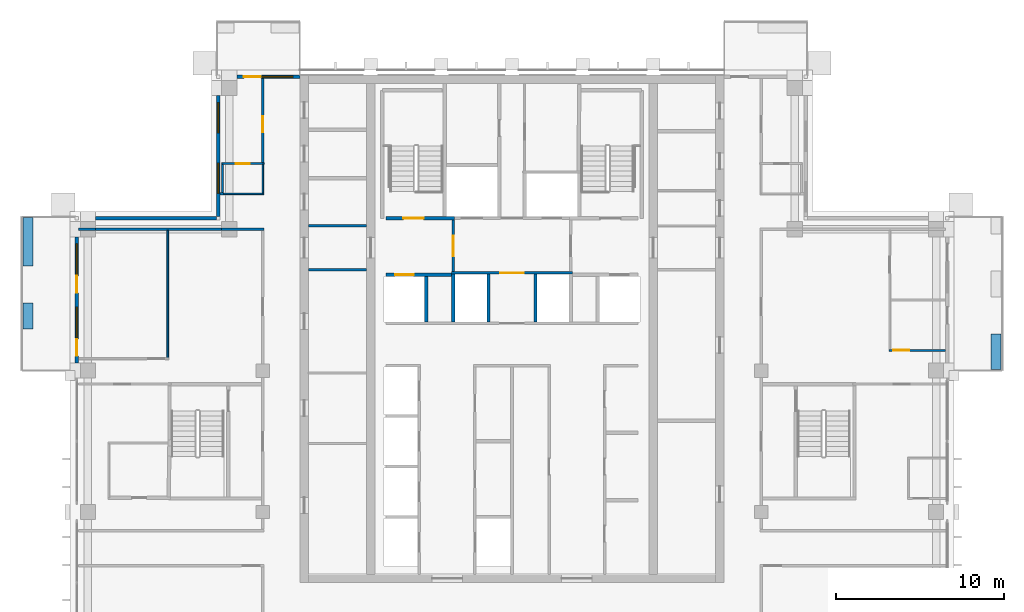
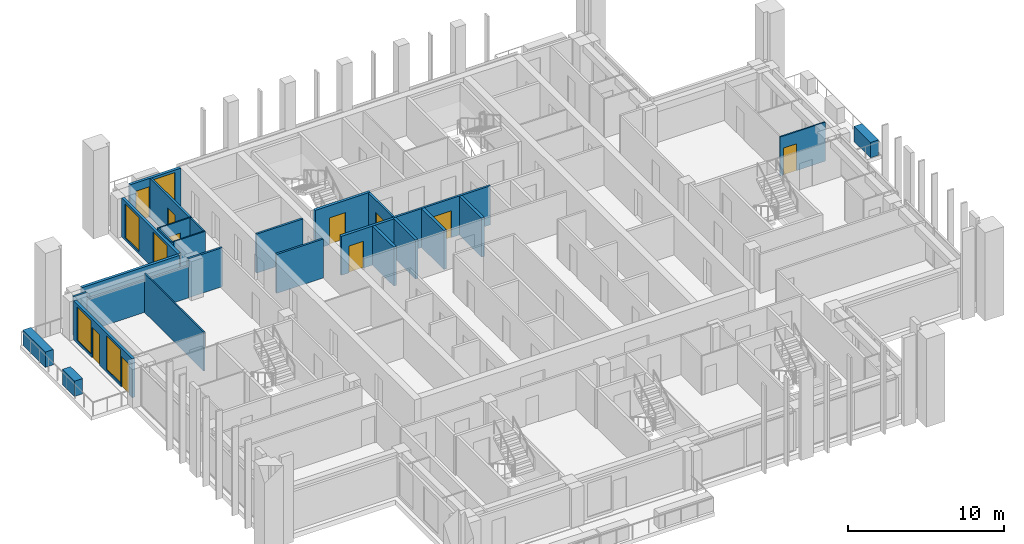
# One storey, part 10 of 16: 28 walls, 10 doors, 5 windows, 15 openings.
"""IFC4 building model written with IfcOpenShell, lengths in metres."""

import ifcopenshell
import ifcopenshell.guid

model = None  # the IFC model being written
_history = None  # IfcOwnerHistory: only IFC2X3 demands one
_inside = {}  # id of a spatial element -> (the spatial element, [elements in it])
_under = {}  # id of a project, library or spatial element -> (it, [spatial elements below it])
_declared = {}  # id of a project -> (the project, [libraries it declares])
_typed = {}  # id of a type object -> (the type object, [elements of that type])
_made_of = {}  # id of a material, layer set ... -> (it, [elements and type objects made of it])


def new_model(schema):
    """Start an empty IFC model of exactly this schema.

    Asked for "IFC4X3", IfcOpenShell would pick the latest addendum, in which some entities
    have other attributes; the version numbers below select the first issue.
    IFC2X3 requires an IfcOwnerHistory on every rooted entity: one is made here for all.
    """
    global model, _history
    if schema == "IFC4X3":
        model = ifcopenshell.file(schema_version=(4, 3, 0, 0))
    else:
        model = ifcopenshell.file(schema=schema)
    _inside.clear()
    _under.clear()
    _declared.clear()
    _typed.clear()
    _made_of.clear()
    _history = None
    if model.schema == "IFC2X3":
        org = make("IfcOrganization", Name="unknown")
        user = make(
            "IfcPersonAndOrganization",
            ThePerson=make("IfcPerson", FamilyName="unknown"),
            TheOrganization=org,
        )
        app = make(
            "IfcApplication",
            ApplicationDeveloper=org,
            Version="unknown",
            ApplicationFullName="unknown",
            ApplicationIdentifier="unknown",
        )
        _history = make(
            "IfcOwnerHistory",
            OwningUser=user,
            OwningApplication=app,
            ChangeAction="ADDED",
            CreationDate=0,
        )
    return model


def make(cls, **values):
    """One entity of the class cls with the attributes given. An attribute that is None is left unset."""
    return model.create_entity(
        cls, **{name: value for name, value in values.items() if value is not None}
    )


def rooted(cls, **values):
    """An entity with a GlobalId (a new one), such as an element, a storey or a relation."""
    return make(cls, GlobalId=ifcopenshell.guid.new(), OwnerHistory=_history, **values)


def si_unit(unit_type, name, prefix=None):
    """IfcSIUnit, for example si_unit("LENGTHUNIT", "METRE", prefix="MILLI")."""
    return make("IfcSIUnit", UnitType=unit_type, Prefix=prefix, Name=name)


def assignment(units):
    """IfcUnitAssignment: the units of a project."""
    return None if units is None else make("IfcUnitAssignment", Units=units)


def point(xyz):
    """IfcCartesianPoint."""
    return None if xyz is None else make("IfcCartesianPoint", Coordinates=xyz)


def direction(xyz):
    """IfcDirection."""
    return None if xyz is None else make("IfcDirection", DirectionRatios=xyz)


def frame(location, z_axis=None, x_axis=None):
    """IfcAxis2Placement3D, a coordinate frame: its origin and axes. An axis left out is left unset."""
    return make(
        "IfcAxis2Placement3D",
        Location=point(location),
        Axis=direction(z_axis),
        RefDirection=direction(x_axis),
    )


def frame_2d(location, x_axis=None):
    """IfcAxis2Placement2D, a coordinate frame in the plane: its origin and x axis."""
    return make(
        "IfcAxis2Placement2D", Location=point(location), RefDirection=direction(x_axis)
    )


def origin():
    """The frame at (0, 0, 0) with its axes left unset."""
    return frame((0.0, 0.0, 0.0))


def place(relative_to, where):
    """IfcLocalPlacement: puts the frame where relative to a parent placement (None: the world)."""
    return make(
        "IfcLocalPlacement", PlacementRelTo=relative_to, RelativePlacement=where
    )


def context(
    kind, dimensions, precision=None, world=None, true_north=None, identifier=None
):
    """IfcGeometricRepresentationContext, for example the 3D "Model" context."""
    return make(
        "IfcGeometricRepresentationContext",
        ContextIdentifier=identifier,
        ContextType=kind,
        CoordinateSpaceDimension=dimensions,
        Precision=precision,
        WorldCoordinateSystem=world,
        TrueNorth=true_north,
    )


def subcontext(parent, identifier, kind, view, scale=None):
    """IfcGeometricRepresentationSubContext, for example "Body" below "Model"."""
    return make(
        "IfcGeometricRepresentationSubContext",
        ContextIdentifier=identifier,
        ContextType=kind,
        ParentContext=parent,
        TargetScale=scale,
        TargetView=view,
    )


def project(units=None, contexts=None):
    """IfcProject with its units and contexts."""
    return rooted(
        "IfcProject",
        Name="project",
        RepresentationContexts=contexts,
        UnitsInContext=assignment(units),
    )


def spatial(cls, under=None, at=None, **own):
    """A site, building, storey or space (cls), placed at a placement, below another one or the project."""
    s = rooted(cls, ObjectPlacement=at, **own)
    if under is not None:
        _under.setdefault(under.id(), (under, []))[1].append(s)
    return s


def profile(cls, at=None, kind="AREA", **sizes):
    """A parametric profile (cls). Its sizes go by their IFC names, for example OverallWidth=200.0."""
    return make(cls, ProfileType=kind, Position=at, **sizes)


def rectangle(**sizes):
    """IfcRectangleProfileDef."""
    return profile("IfcRectangleProfileDef", **sizes)


def extrude(swept, where, along, depth):
    """IfcExtrudedAreaSolid: the profile swept, set in the frame where, extruded along a direction by depth."""
    return make(
        "IfcExtrudedAreaSolid",
        SweptArea=swept,
        Position=where,
        ExtrudedDirection=direction(along),
        Depth=depth,
    )


def shape(context_of_items, identifier, shape_type, items):
    """IfcShapeRepresentation: the items that make up one representation, for example the "Body"."""
    return make(
        "IfcShapeRepresentation",
        ContextOfItems=context_of_items,
        RepresentationIdentifier=identifier,
        RepresentationType=shape_type,
        Items=items,
    )


def material(Name=None, Category=None):
    """IfcMaterial."""
    return make("IfcMaterial", Name=Name, Category=Category)


def layer(
    of_material, thickness, ventilated=None, Name=None, Category=None, Priority=None
):
    """IfcMaterialLayer: one layer of a wall or slab, of a material (None: an air gap)."""
    return make(
        "IfcMaterialLayer",
        Material=of_material,
        LayerThickness=thickness,
        IsVentilated=ventilated,
        Name=Name,
        Category=Category,
        Priority=Priority,
    )


def layer_set(layers, Name=None):
    """IfcMaterialLayerSet."""
    return make("IfcMaterialLayerSet", MaterialLayers=layers, LayerSetName=Name)


def made_of(thing, what):
    """Note that an element or type object is made of a material, layer set ...; save() writes the relation."""
    if what is not None:
        _made_of.setdefault(what.id(), (what, []))[1].append(thing)
    return thing


def type_object(cls, material=None, **own):
    """A type object (cls), such as IfcWallType, which elements share."""
    return made_of(rooted(cls, **own), material)


def element(
    cls,
    number,
    at=None,
    inside=None,
    cuts=None,
    type_object=None,
    material=None,
    context=None,
    identifier="Body",
    shape_type=None,
    held_by="IfcProductDefinitionShape",
    body=None,
    shapes=None,
    **own,
):
    """One element of the class cls, such as IfcWall. Its Tag is "e" and its number.

    at: its placement. inside: the storey or other place that contains it. cuts: it is an
    opening in that element (IfcRelVoidsElement). A single representation is given by context,
    identifier, shape_type and body (its items); several are given by shapes. held_by: the class
    of the entity that holds the representations. save() writes the other relations.
    """
    e = rooted(cls, Tag="e%d" % number, ObjectPlacement=at, **own)
    if body is not None:
        shapes = [shape(context, identifier, shape_type, body)]
    if shapes is not None:
        e.Representation = make(held_by, Representations=shapes)
    if inside is not None:
        _inside.setdefault(inside.id(), (inside, []))[1].append(e)
    if cuts is not None:
        rooted(
            "IfcRelVoidsElement", RelatingBuildingElement=cuts, RelatedOpeningElement=e
        )
    if type_object is not None:
        _typed.setdefault(type_object.id(), (type_object, []))[1].append(e)
    return made_of(e, material)


def fill(opening, filler):
    """IfcRelFillsElement: the door or window that sits in an opening."""
    return rooted(
        "IfcRelFillsElement",
        RelatingOpeningElement=opening,
        RelatedBuildingElement=filler,
    )


def aggregate(whole, parts):
    """IfcRelAggregates: a whole, such as a stair, and the parts it consists of."""
    return rooted("IfcRelAggregates", RelatingObject=whole, RelatedObjects=parts)


def save(model, path):
    """Write the relations noted so far, then the file.

    IfcRelAggregates (storeys below a building ...), IfcRelContainedInSpatialStructure (elements
    in a storey), IfcRelDefinesByType, IfcRelAssociatesMaterial and IfcRelDeclares: one each for
    every whole, place, type object, material and project.
    """
    for whole, parts in _under.values():
        aggregate(whole, parts)
    for where, things in _inside.values():
        rooted(
            "IfcRelContainedInSpatialStructure",
            RelatedElements=things,
            RelatingStructure=where,
        )
    for kind, things in _typed.values():
        rooted("IfcRelDefinesByType", RelatedObjects=things, RelatingType=kind)
    for what, things in _made_of.values():
        rooted("IfcRelAssociatesMaterial", RelatedObjects=things, RelatingMaterial=what)
    for by, libraries in _declared.values():
        rooted("IfcRelDeclares", RelatingContext=by, RelatedDefinitions=libraries)
    model.write(path)


model = new_model("IFC4")

# Units and contexts
model_context = context("Model", 3, precision=1e-05, world=origin(), true_north=direction((0.0, 1.0)))
body_context = subcontext(model_context, "Body", "Model", "MODEL_VIEW")
ifc_project = project(units=[si_unit("LENGTHUNIT", "METRE"), si_unit("AREAUNIT", "SQUARE_METRE"), si_unit("VOLUMEUNIT", "CUBIC_METRE"), si_unit("PLANEANGLEUNIT", "RADIAN"), si_unit("MASSUNIT", "GRAM", prefix="KILO")], contexts=[model_context])

# Site, building, storey
site_placement = place(None, origin())
site = spatial("IfcSite", under=ifc_project, at=site_placement, CompositionType="ELEMENT")
building_placement = place(site_placement, origin())
building = spatial("IfcBuilding", under=site, at=building_placement, Name="Vermilion Ogive Tower", CompositionType="ELEMENT")
storey_placement = place(building_placement, frame((0.0, 0.0, 233.800048828125)))
storey = spatial("IfcBuildingStorey", under=building, at=storey_placement, Name="L61", CompositionType="ELEMENT", Elevation=233.800048828125)

# Wall
ifc_material_1 = material(Name="Gypsum board partition on steel studs", Category="steel")
ifc_layer_1 = layer(ifc_material_1, 0.10009765625)
ifc_layer_set_1 = layer_set([ifc_layer_1], Name="Partition 100 bath")
wall_type_1 = type_object("IfcWallType", Name="Partition 100 bath", PredefinedType="PARTITIONING", material=ifc_layer_set_1)
wall_1_placement = place(storey_placement, frame((-17.25, 14.699951171875, 0.0), z_axis=(0.0, 0.0, 1.0), x_axis=(1.0, 0.0, 0.0)))
element("IfcWall", 1, at=wall_1_placement, inside=storey, type_object=wall_type_1, Name="L61-W-W035", PredefinedType="PARTITIONING", context=body_context, shape_type="SweptSolid", body=[
    extrude(rectangle(XDim=2.5, YDim=0.10009765625, at=frame_2d((1.25, 0.0))), origin(), (0.0, 0.0, 1.0), 3.050048828125),
])

# Wall, opening, door
wall_2_placement = place(storey_placement, frame((-17.25, 16.5, 0.0), z_axis=(0.0, 0.0, 1.0), x_axis=(1.0, 0.0, 0.0)))
wall_2 = element("IfcWall", 2, at=wall_2_placement, inside=storey, type_object=wall_type_1, Name="L61-W-W038", PredefinedType="PARTITIONING", context=body_context, shape_type="SweptSolid", body=[
    extrude(rectangle(XDim=2.52490234375, YDim=0.10009765625, at=frame_2d((1.262451171875, 0.0))), origin(), (0.0, 0.0, 1.0), 3.050048828125),
])
opening_1_placement = place(wall_2_placement, frame((0.824951171875, 0.0, 0.0)))
opening_1 = element("IfcOpeningElement", 3, at=opening_1_placement, cuts=wall_2, Name="Opening D5G2009", PredefinedType="OPENING", context=body_context, shape_type="SweptSolid", body=[
    extrude(rectangle(XDim=0.85009765625, YDim=2.10009765625, at=frame_2d((0.425048828125, 1.050048828125))), frame((0.0, 0.06005859375, 0.0), z_axis=(0.0, -1.0, 0.0), x_axis=(1.0, 0.0, 0.0)), (0.0, 0.0, 1.0), 0.1201171875),
])
ifc_material_2 = material(Name="Timber door leaf", Category="wood")
door_type_1 = type_object("IfcDoorType", Name="Bath door 850 x 2100 FD30", OperationType="SINGLE_SWING_LEFT", PredefinedType="DOOR", material=ifc_material_2)
door_1_placement = place(opening_1_placement, origin())
door_1 = element("IfcDoor", 4, at=door_1_placement, inside=storey, type_object=door_type_1, Name="L61-D-D009", OperationType="SINGLE_SWING_RIGHT", OverallHeight=2.10009765625, OverallWidth=0.85009765625, PredefinedType="DOOR", context=body_context, shape_type="SweptSolid", body=[
    extrude(rectangle(XDim=0.85009765625, YDim=2.10009765625, at=frame_2d((0.425048828125, 1.050048828125))), frame((0.0, 0.02490234375, 0.0), z_axis=(0.0, -1.0, 0.0), x_axis=(1.0, 0.0, 0.0)), (0.0, 0.0, 1.0), 0.050048828125),
])
fill(opening_1, door_1)

# Walls
wall_3_placement = place(storey_placement, frame((-17.199951171875, 14.77490234375, 0.0), z_axis=(0.0, 0.0, 1.0), x_axis=(0.0, 1.0, 0.0)))
element("IfcWall", 5, at=wall_3_placement, inside=storey, type_object=wall_type_1, Name="L61-W-W044", PredefinedType="PARTITIONING", context=body_context, shape_type="SweptSolid", body=[
    extrude(rectangle(XDim=1.675048828125, YDim=0.10009765625, at=frame_2d((0.83740234375, 0.0))), origin(), (0.0, 0.0, 1.0), 3.050048828125),
])
wall_4_placement = place(storey_placement, frame((-14.800048828125, 14.75, 0.0), z_axis=(0.0, 0.0, 1.0), x_axis=(0.0, 1.0, 0.0)))
element("IfcWall", 6, at=wall_4_placement, inside=storey, type_object=wall_type_1, Name="L61-W-W050", PredefinedType="PARTITIONING", context=body_context, shape_type="SweptSolid", body=[
    extrude(rectangle(XDim=1.699951171875, YDim=0.10009765625, at=frame_2d((0.85009765625, 0.0))), origin(), (0.0, 0.0, 1.0), 3.050048828125),
])

# Wall, opening, door
ifc_material_3 = material(Name="Gypsum board partition on steel studs", Category="steel")
ifc_layer_2 = layer(ifc_material_3, 0.10009765625)
ifc_layer_set_2 = layer_set([ifc_layer_2], Name="Partition 100 inner")
wall_type_2 = type_object("IfcWallType", Name="Partition 100 inner", PredefinedType="PARTITIONING", material=ifc_layer_set_2)
wall_5_placement = place(storey_placement, frame((22.39990234375, 5.39990234375, 0.0), z_axis=(0.0, 0.0, 1.0), x_axis=(1.0, 0.0, 0.0)))
wall_5 = element("IfcWall", 7, at=wall_5_placement, inside=storey, type_object=wall_type_2, Name="L61-W-W030", PredefinedType="PARTITIONING", context=body_context, shape_type="SweptSolid", body=[
    extrude(rectangle(XDim=3.35009765625, YDim=0.10009765625, at=frame_2d((1.675048828125, 0.0))), origin(), (0.0, 0.0, 1.0), 3.050048828125),
])
opening_2_placement = place(wall_5_placement, frame((0.25, 0.0, 0.0)))
opening_2 = element("IfcOpeningElement", 8, at=opening_2_placement, cuts=wall_5, Name="Opening D5G2016", PredefinedType="OPENING", context=body_context, shape_type="SweptSolid", body=[
    extrude(rectangle(XDim=0.949951171875, YDim=2.10009765625, at=frame_2d((0.47509765625, 1.050048828125))), frame((0.0, 0.06005859375, 0.0), z_axis=(0.0, -1.0, 0.0), x_axis=(1.0, 0.0, 0.0)), (0.0, 0.0, 1.0), 0.1201171875),
])
ifc_material_4 = material(Name="Timber door leaf", Category="wood")
door_type_2 = type_object("IfcDoorType", Name="Inner door 950 x 2100 FD30", OperationType="SINGLE_SWING_LEFT", PredefinedType="DOOR", material=ifc_material_4)
door_2_placement = place(opening_2_placement, origin())
door_2 = element("IfcDoor", 9, at=door_2_placement, inside=storey, type_object=door_type_2, Name="L61-D-D016", OperationType="SINGLE_SWING_LEFT", OverallHeight=2.10009765625, OverallWidth=0.949951171875, PredefinedType="DOOR", context=body_context, shape_type="SweptSolid", body=[
    extrude(rectangle(XDim=0.949951171875, YDim=2.10009765625, at=frame_2d((0.47509765625, 1.050048828125))), frame((0.0, 0.02490234375, 0.0), z_axis=(0.0, -1.0, 0.0), x_axis=(1.0, 0.0, 0.0)), (0.0, 0.0, 1.0), 0.050048828125),
])
fill(opening_2, door_2)

# Walls
wall_6_placement = place(storey_placement, frame((-20.449951171875, 4.949951171875, 0.0), z_axis=(0.0, 0.0, 1.0), x_axis=(0.0, 1.0, 0.0)))
element("IfcWall", 10, at=wall_6_placement, inside=storey, type_object=wall_type_2, Name="L61-W-W041", PredefinedType="PARTITIONING", context=body_context, shape_type="SweptSolid", body=[
    extrude(rectangle(XDim=7.574951171875, YDim=0.10009765625, at=frame_2d((3.78759765625, 0.0))), origin(), (0.0, 0.0, 1.0), 3.050048828125),
])
ifc_material_5 = material(Name="Gypsum board partition on steel studs", Category="steel")
ifc_layer_3 = layer(ifc_material_5, 0.14990234375)
ifc_layer_set_3 = layer_set([ifc_layer_3], Name="Partition 150 corridor")
wall_type_3 = type_object("IfcWallType", Name="Partition 150 corridor", PredefinedType="PARTITIONING", material=ifc_layer_set_3)
wall_7_placement = place(storey_placement, frame((-25.75, 12.60009765625, 0.0), z_axis=(0.0, 0.0, 1.0), x_axis=(1.0, 0.0, 0.0)))
element("IfcWall", 11, at=wall_7_placement, inside=storey, type_object=wall_type_3, Name="L61-W-W032", PredefinedType="PARTITIONING", context=body_context, shape_type="SweptSolid", body=[
    extrude(rectangle(XDim=1.0, YDim=0.14990234375, at=frame_2d((0.5, 0.0))), origin(), (0.0, 0.0, 1.0), 3.050048828125),
])
wall_8_placement = place(storey_placement, frame((-17.35009765625, 14.699951171875, 0.0), z_axis=(0.0, 0.0, 1.0), x_axis=(1.0, 0.0, 0.0)))
element("IfcWall", 12, at=wall_8_placement, inside=storey, type_object=wall_type_3, Name="L61-W-W034", PredefinedType="PARTITIONING", context=body_context, shape_type="SweptSolid", body=[
    extrude(rectangle(XDim=0.2001953125, YDim=0.14990234375, at=frame_2d((0.10009765625, 0.0))), origin(), (0.0, 0.0, 1.0), 3.050048828125),
])

# Wall, opening, door
wall_9_placement = place(storey_placement, frame((-14.800048828125, 16.550048828125, 0.0), z_axis=(0.0, 0.0, 1.0), x_axis=(0.0, 1.0, 0.0)))
wall_9 = element("IfcWall", 13, at=wall_9_placement, inside=storey, type_object=wall_type_3, Name="L61-W-W051", PredefinedType="PARTITIONING", context=body_context, shape_type="SweptSolid", body=[
    extrude(rectangle(XDim=5.0, YDim=0.14990234375, at=frame_2d((2.5, 0.0))), origin(), (0.0, 0.0, 1.0), 3.050048828125),
])
opening_3_placement = place(wall_9_placement, frame((1.800048828125, 0.0, 0.0)))
opening_3 = element("IfcOpeningElement", 14, at=opening_3_placement, cuts=wall_9, Name="Opening D5G2008", PredefinedType="OPENING", context=body_context, shape_type="SweptSolid", body=[
    extrude(rectangle(XDim=0.949951171875, YDim=2.10009765625, at=frame_2d((0.47509765625, 1.050048828125))), frame((0.0, 0.0849609375, 0.0), z_axis=(0.0, -1.0, 0.0), x_axis=(1.0, 0.0, 0.0)), (0.0, 0.0, 1.0), 0.169921875),
])
ifc_material_6 = material(Name="Timber door leaf", Category="wood")
door_type_3 = type_object("IfcDoorType", Name="Unit door 950 x 2100 FD30S", OperationType="SINGLE_SWING_LEFT", PredefinedType="DOOR", material=ifc_material_6)
door_3_placement = place(opening_3_placement, origin())
door_3 = element("IfcDoor", 15, at=door_3_placement, inside=storey, type_object=door_type_3, Name="L61-D-D008", OperationType="SINGLE_SWING_RIGHT", OverallHeight=2.10009765625, OverallWidth=0.949951171875, PredefinedType="DOOR", context=body_context, shape_type="SweptSolid", body=[
    extrude(rectangle(XDim=0.949951171875, YDim=2.10009765625, at=frame_2d((0.47509765625, 1.050048828125))), frame((0.0, 0.02490234375, 0.0), z_axis=(0.0, -1.0, 0.0), x_axis=(1.0, 0.0, 0.0)), (0.0, 0.0, 1.0), 0.050048828125),
])
fill(opening_3, door_3)

wall_10_placement = place(storey_placement, frame((-3.60009765625, 10.0, 0.0), z_axis=(0.0, 0.0, 1.0), x_axis=(1.0, 0.0, 0.0)))
wall_10 = element("IfcWall", 16, at=wall_10_placement, inside=storey, type_object=wall_type_3, Name="L61-CK-W-W014", PredefinedType="PARTITIONING", context=body_context, shape_type="SweptSolid", body=[
    extrude(rectangle(XDim=7.2001953125, YDim=0.14990234375, at=frame_2d((3.60009765625, 0.0))), origin(), (0.0, 0.0, 1.0), 3.050048828125),
])
opening_4_placement = place(wall_10_placement, frame((2.900146484375, 0.0, 0.0)))
opening_4 = element("IfcOpeningElement", 17, at=opening_4_placement, cuts=wall_10, Name="Opening DAA564", PredefinedType="OPENING", context=body_context, shape_type="SweptSolid", body=[
    extrude(rectangle(XDim=1.39990234375, YDim=2.10009765625, at=frame_2d((0.699951171875, 1.050048828125))), frame((0.0, 0.0849609375, 0.0), z_axis=(0.0, -1.0, 0.0), x_axis=(1.0, 0.0, 0.0)), (0.0, 0.0, 1.0), 0.169921875),
])
ifc_material_7 = material(Name="Timber door leaf", Category="wood")
door_type_4 = type_object("IfcDoorType", Name="Lobby door 1400 x 2100 FD60S", OperationType="SINGLE_SWING_LEFT", PredefinedType="DOOR", material=ifc_material_7)
door_4_placement = place(opening_4_placement, origin())
door_4 = element("IfcDoor", 18, at=door_4_placement, inside=storey, type_object=door_type_4, Name="L61-CK-D-D017", OperationType="SINGLE_SWING_RIGHT", OverallHeight=2.10009765625, OverallWidth=1.39990234375, PredefinedType="DOOR", context=body_context, shape_type="SweptSolid", body=[
    extrude(rectangle(XDim=1.39990234375, YDim=2.10009765625, at=frame_2d((0.699951171875, 1.050048828125))), frame((0.0, 0.02490234375, 0.0), z_axis=(0.0, -1.0, 0.0), x_axis=(1.0, 0.0, 0.0)), (0.0, 0.0, 1.0), 0.050048828125),
])
fill(opening_4, door_4)

wall_11_placement = place(storey_placement, frame((-3.5, 10.074951171875, 0.0), z_axis=(0.0, 0.0, 1.0), x_axis=(0.0, 1.0, 0.0)))
wall_11 = element("IfcWall", 19, at=wall_11_placement, inside=storey, type_object=wall_type_3, Name="L61-CK-W-W024", PredefinedType="PARTITIONING", context=body_context, shape_type="SweptSolid", body=[
    extrude(rectangle(XDim=3.074951171875, YDim=0.14990234375, at=frame_2d((1.53759765625, 0.0))), origin(), (0.0, 0.0, 1.0), 3.050048828125),
])
opening_5_placement = place(wall_11_placement, frame((0.925048828125, 0.0, 0.0)))
opening_5 = element("IfcOpeningElement", 20, at=opening_5_placement, cuts=wall_11, Name="Opening DAA561", PredefinedType="OPENING", context=body_context, shape_type="SweptSolid", body=[
    extrude(rectangle(XDim=1.199951171875, YDim=2.10009765625, at=frame_2d((0.60009765625, 1.050048828125))), frame((0.0, 0.0849609375, 0.0), z_axis=(0.0, -1.0, 0.0), x_axis=(1.0, 0.0, 0.0)), (0.0, 0.0, 1.0), 0.169921875),
])
ifc_material_8 = material(Name="Timber door leaf", Category="wood")
door_type_5 = type_object("IfcDoorType", Name="Lobby door 1200 x 2100 FD60S", OperationType="SINGLE_SWING_LEFT", PredefinedType="DOOR", material=ifc_material_8)
door_5_placement = place(opening_5_placement, origin())
door_5 = element("IfcDoor", 21, at=door_5_placement, inside=storey, type_object=door_type_5, Name="L61-CK-D-D023", OperationType="SINGLE_SWING_RIGHT", OverallHeight=2.10009765625, OverallWidth=1.199951171875, PredefinedType="DOOR", context=body_context, shape_type="SweptSolid", body=[
    extrude(rectangle(XDim=1.199951171875, YDim=2.10009765625, at=frame_2d((0.60009765625, 1.050048828125))), frame((0.0, 0.02490234375, 0.0), z_axis=(0.0, -1.0, 0.0), x_axis=(1.0, 0.0, 0.0)), (0.0, 0.0, 1.0), 0.050048828125),
])
fill(opening_5, door_5)

# Walls
for number, where, z_axis, x_axis, name in (
    (22, (-12.09912109375, 10.199951171875, 0.0), (0.0, 0.0, 1.0), (1.0, 0.0, 0.0), "L61-CKW-W-W003"),
    (23, (-12.09912109375, 12.800048828125, 0.0), (0.0, 0.0, 1.0), (1.0, 0.0, 0.0), "L61-CKW-W-W004"),
):
    element("IfcWall", number, at=place(storey_placement, frame(where, z_axis=z_axis, x_axis=x_axis)), inside=storey, type_object=wall_type_3, Name=name, PredefinedType="PARTITIONING", context=body_context, shape_type="SweptSolid", body=[
        extrude(rectangle(XDim=3.4482421875, YDim=0.14990234375, at=frame_2d((1.72412109375, 0.0))), origin(), (0.0, 0.0, 1.0), 3.050048828125),
    ])
wall_12_placement = place(storey_placement, frame((-24.75, 12.60009765625, 0.0), z_axis=(0.0, 0.0, 1.0), x_axis=(1.0, 0.0, 0.0)))
element("IfcWall", 24, at=wall_12_placement, inside=storey, type_object=wall_type_3, Name="L61-W-W032-h1", PredefinedType="PARTITIONING", context=body_context, shape_type="SweptSolid", body=[
    extrude(rectangle(XDim=7.5, YDim=0.14990234375, at=frame_2d((3.75, 0.0))), origin(), (0.0, 0.0, 1.0), 2.5),
])
wall_13_placement = place(storey_placement, frame((-17.25, 12.60009765625, 0.0), z_axis=(0.0, 0.0, 1.0), x_axis=(1.0, 0.0, 0.0)))
element("IfcWall", 25, at=wall_13_placement, inside=storey, type_object=wall_type_3, Name="L61-W-W032-h2", PredefinedType="PARTITIONING", context=body_context, shape_type="SweptSolid", body=[
    extrude(rectangle(XDim=2.52490234375, YDim=0.14990234375, at=frame_2d((1.262451171875, 0.0))), origin(), (0.0, 0.0, 1.0), 3.050048828125),
])

# Wall, opening, door
ifc_material_9 = material(Name="Gypsum board partition on steel studs", Category="steel")
ifc_layer_4 = layer(ifc_material_9, 0.199951171875)
ifc_layer_set_4 = layer_set([ifc_layer_4], Name="Partition 200 party")
wall_type_4 = type_object("IfcWallType", Name="Partition 200 party", PredefinedType="PARTITIONING", material=ifc_layer_set_4)
wall_14_placement = place(storey_placement, frame((-7.5, 9.89990234375, 0.0), z_axis=(0.0, 0.0, 1.0), x_axis=(1.0, 0.0, 0.0)))
wall_14 = element("IfcWall", 26, at=wall_14_placement, inside=storey, type_object=wall_type_4, Name="L61-CK-W-W012", PredefinedType="PARTITIONING", context=body_context, shape_type="SweptSolid", body=[
    extrude(rectangle(XDim=3.89990234375, YDim=0.199951171875, at=frame_2d((1.949951171875, 0.0))), origin(), (0.0, 0.0, 1.0), 3.050048828125),
])
opening_6_placement = place(wall_14_placement, frame((0.550048828125, 0.0, 0.0)))
opening_6 = element("IfcOpeningElement", 27, at=opening_6_placement, cuts=wall_14, Name="Opening DAA581", PredefinedType="OPENING", context=body_context, shape_type="SweptSolid", body=[
    extrude(rectangle(XDim=1.10009765625, YDim=2.10009765625, at=frame_2d((0.550048828125, 1.050048828125))), frame((0.0, 0.10986328125, 0.0), z_axis=(0.0, -1.0, 0.0), x_axis=(1.0, 0.0, 0.0)), (0.0, 0.0, 1.0), 0.219970703125),
])
ifc_material_10 = material(Name="Stainless steel", Category="steel")
door_type_6 = type_object("IfcDoorType", Name="Lift landing door 1100 x 2100", OperationType="SLIDING_TO_LEFT", PredefinedType="DOOR", material=ifc_material_10)
door_6_placement = place(opening_6_placement, origin())
door_6 = element("IfcDoor", 28, at=door_6_placement, inside=storey, type_object=door_type_6, Name="L61-CK-D-D013", OperationType="SLIDING_TO_RIGHT", OverallHeight=2.10009765625, OverallWidth=1.10009765625, PredefinedType="DOOR", context=body_context, shape_type="SweptSolid", body=[
    extrude(rectangle(XDim=1.10009765625, YDim=2.10009765625, at=frame_2d((0.550048828125, 1.050048828125))), frame((0.0, 0.02490234375, 0.0), z_axis=(0.0, -1.0, 0.0), x_axis=(1.0, 0.0, 0.0)), (0.0, 0.0, 1.0), 0.050048828125),
])
fill(opening_6, door_6)

# Walls
wall_15_placement = place(storey_placement, frame((-5.10009765625, 7.074951171875, 0.0), z_axis=(0.0, 0.0, 1.0), x_axis=(0.0, 1.0, 0.0)))
element("IfcWall", 29, at=wall_15_placement, inside=storey, type_object=wall_type_4, Name="L61-CK-W-W021", PredefinedType="PARTITIONING", context=body_context, shape_type="SweptSolid", body=[
    extrude(rectangle(XDim=2.72509765625, YDim=0.199951171875, at=frame_2d((1.362548828125, 0.0))), origin(), (0.0, 0.0, 1.0), 3.050048828125),
])
for number, where, z_axis, x_axis, name in (
    (30, (-3.5, 7.074951171875, 0.0), (0.0, 0.0, 1.0), (0.0, 1.0, 0.0), "L61-CK-W-W023"),
    (31, (-1.39990234375, 7.074951171875, 0.0), (0.0, 0.0, 1.0), (0.0, 1.0, 0.0), "L61-CK-W-W026"),
    (32, (1.39990234375, 7.074951171875, 0.0), (0.0, 0.0, 1.0), (0.0, 1.0, 0.0), "L61-CK-W-W031"),
):
    element("IfcWall", number, at=place(storey_placement, frame(where, z_axis=z_axis, x_axis=x_axis)), inside=storey, type_object=wall_type_4, Name=name, PredefinedType="PARTITIONING", context=body_context, shape_type="SweptSolid", body=[
        extrude(rectangle(XDim=2.85009765625, YDim=0.199951171875, at=frame_2d((1.425048828125, 0.0))), origin(), (0.0, 0.0, 1.0), 3.050048828125),
    ])

# Wall, opening, door
ifc_material_11 = material(Name="Concrete B60", Category="concrete")
ifc_layer_5 = layer(ifc_material_11, 0.199951171875)
ifc_layer_set_5 = layer_set([ifc_layer_5], Name="Stair shaft wall 200 Concrete B60")
wall_type_5 = type_object("IfcWallType", Name="Stair shaft wall 200 Concrete B60", PredefinedType="SOLIDWALL", material=ifc_layer_set_5)
wall_16_placement = place(storey_placement, frame((-7.5, 13.25, 0.0), z_axis=(0.0, 0.0, 1.0), x_axis=(1.0, 0.0, 0.0)))
wall_16 = element("IfcWall", 33, at=wall_16_placement, inside=storey, type_object=wall_type_5, Name="L61-CK-W-W015", PredefinedType="SOLIDWALL", context=body_context, shape_type="SweptSolid", body=[
    extrude(rectangle(XDim=4.074951171875, YDim=0.199951171875, at=frame_2d((2.03759765625, 0.0))), origin(), (0.0, 0.0, 1.0), 3.050048828125),
])
opening_7_placement = place(wall_16_placement, frame((1.050048828125, 0.0, 0.0)))
opening_7 = element("IfcOpeningElement", 34, at=opening_7_placement, cuts=wall_16, Name="Opening DAA574", PredefinedType="OPENING", context=body_context, shape_type="SweptSolid", body=[
    extrude(rectangle(XDim=1.199951171875, YDim=2.10009765625, at=frame_2d((0.60009765625, 1.050048828125))), frame((0.0, 0.10986328125, 0.0), z_axis=(0.0, -1.0, 0.0), x_axis=(1.0, 0.0, 0.0)), (0.0, 0.0, 1.0), 0.219970703125),
])
ifc_material_12 = material(Name="Timber door leaf", Category="wood")
door_type_7 = type_object("IfcDoorType", Name="Stair door 1200 x 2100 FD60S", OperationType="SINGLE_SWING_LEFT", PredefinedType="DOOR", material=ifc_material_12)
door_7_placement = place(opening_7_placement, origin())
door_7 = element("IfcDoor", 35, at=door_7_placement, inside=storey, type_object=door_type_7, Name="L61-CK-D-D012", OperationType="SINGLE_SWING_LEFT", OverallHeight=2.10009765625, OverallWidth=1.199951171875, PredefinedType="DOOR", context=body_context, shape_type="SweptSolid", body=[
    extrude(rectangle(XDim=1.199951171875, YDim=2.10009765625, at=frame_2d((0.60009765625, 1.050048828125))), frame((0.0, 0.02490234375, 0.0), z_axis=(0.0, -1.0, 0.0), x_axis=(1.0, 0.0, 0.0)), (0.0, 0.0, 1.0), 0.050048828125),
])
fill(opening_7, door_7)

# Walls
ifc_material_13 = material(Name="Concrete B40", Category="concrete")
ifc_layer_6 = layer(ifc_material_13, 0.60009765625)
ifc_layer_set_6 = layer_set([ifc_layer_6], Name="Structural planter")
wall_type_6 = type_object("IfcWallType", Name="Structural planter", PredefinedType="USERDEFINED", material=ifc_layer_set_6)
wall_17_placement = place(storey_placement, frame((28.75, 4.260009765625, -0.0400390625), z_axis=(0.0, 0.0, 1.0), x_axis=(0.0, 1.0, 0.0)))
element("IfcWall", 36, at=wall_17_placement, inside=storey, type_object=wall_type_6, Name="Planter E03A1", ObjectType="PLANTER", PredefinedType="USERDEFINED", context=body_context, shape_type="SweptSolid", body=[
    extrude(rectangle(XDim=2.114990234375, YDim=0.60009765625, at=frame_2d((1.0576171875, 0.0))), origin(), (0.0, 0.0, 1.0), 1.199951171875),
])
wall_18_placement = place(storey_placement, frame((-28.75, 13.2900390625, -0.0400390625), z_axis=(0.0, 0.0, 1.0), x_axis=(0.0, -1.0, 0.0)))
element("IfcWall", 37, at=wall_18_placement, inside=storey, type_object=wall_type_6, Name="Planter W01A1", ObjectType="PLANTER", PredefinedType="USERDEFINED", context=body_context, shape_type="SweptSolid", body=[
    extrude(rectangle(XDim=2.864990234375, YDim=0.60009765625, at=frame_2d((1.4326171875, 0.0))), origin(), (0.0, 0.0, 1.0), 1.199951171875),
])
wall_19_placement = place(storey_placement, frame((-28.75, 8.22509765625, -0.0400390625), z_axis=(0.0, 0.0, 1.0), x_axis=(0.0, -1.0, 0.0)))
element("IfcWall", 38, at=wall_19_placement, inside=storey, type_object=wall_type_6, Name="Planter W01A2", ObjectType="PLANTER", PredefinedType="USERDEFINED", context=body_context, shape_type="SweptSolid", body=[
    extrude(rectangle(XDim=1.550048828125, YDim=0.60009765625, at=frame_2d((0.77490234375, 0.0))), origin(), (0.0, 0.0, 1.0), 1.199951171875),
])

# Wall, openings, door, window
ifc_material_14 = material(Name="Aluminium window wall framing", Category="aluminium")
ifc_layer_7 = layer(ifc_material_14, 0.199951171875)
ifc_layer_set_7 = layer_set([ifc_layer_7], Name="Window wall")
wall_type_7 = type_object("IfcWallType", Name="Window wall", PredefinedType="STANDARD", material=ifc_layer_set_7)
wall_20_placement = place(storey_placement, frame((-12.60009765625, 21.64990234375, 0.0), z_axis=(0.0, 0.0, 1.0), x_axis=(-1.0, 0.0, 0.0)))
wall_20 = element("IfcWall", 39, at=wall_20_placement, inside=storey, type_object=wall_type_7, Name="Window wall N21", PredefinedType="STANDARD", context=body_context, shape_type="SweptSolid", body=[
    extrude(rectangle(XDim=3.75, YDim=0.199951171875, at=frame_2d((1.875, 0.0))), origin(), (0.0, 0.0, 1.0), 3.050048828125),
])
opening_8_placement = place(wall_20_placement, frame((0.425048828125, 0.0, 0.199951171875)))
opening_8 = element("IfcOpeningElement", 40, at=opening_8_placement, cuts=wall_20, Name="Opening W1-N296", PredefinedType="OPENING", context=body_context, shape_type="SweptSolid", body=[
    extrude(rectangle(XDim=1.800048828125, YDim=2.64990234375, at=frame_2d((0.89990234375, 1.324951171875))), frame((0.0, 0.10986328125, 0.0), z_axis=(0.0, -1.0, 0.0), x_axis=(1.0, 0.0, 0.0)), (0.0, 0.0, 1.0), 0.219970703125),
])
opening_9_placement = place(wall_20_placement, frame((2.324951171875, 0.0, 0.0)))
opening_9 = element("IfcOpeningElement", 41, at=opening_9_placement, cuts=wall_20, Name="Opening D1-N296", PredefinedType="OPENING", context=body_context, shape_type="SweptSolid", body=[
    extrude(rectangle(XDim=1.0, YDim=2.39990234375, at=frame_2d((0.5, 1.199951171875))), frame((0.0, 0.10986328125, 0.0), z_axis=(0.0, -1.0, 0.0), x_axis=(1.0, 0.0, 0.0)), (0.0, 0.0, 1.0), 0.219970703125),
])
ifc_material_15 = material(Name="Aluminium framed glazed door", Category="aluminium")
door_type_8 = type_object("IfcDoorType", Name="Balcony door D1", OperationType="SINGLE_SWING_LEFT", PredefinedType="DOOR", material=ifc_material_15)
door_8_placement = place(opening_9_placement, origin())
door_8 = element("IfcDoor", 42, at=door_8_placement, inside=storey, type_object=door_type_8, Name="Balcony door N296", OperationType="SINGLE_SWING_LEFT", OverallHeight=2.39990234375, OverallWidth=1.0, PredefinedType="DOOR", context=body_context, shape_type="SweptSolid", body=[
    extrude(rectangle(XDim=1.0, YDim=2.39990234375, at=frame_2d((0.5, 1.199951171875))), frame((0.0, 0.02490234375, 0.0), z_axis=(0.0, -1.0, 0.0), x_axis=(1.0, 0.0, 0.0)), (0.0, 0.0, 1.0), 0.050048828125),
])
fill(opening_9, door_8)
ifc_material_16 = material(Name="Aluminium framed double glazing", Category="aluminium")
window_type = type_object("IfcWindowType", Name="Guest window W1", PartitioningType="SINGLE_PANEL", PredefinedType="WINDOW", material=ifc_material_16)
window_1_placement = place(opening_8_placement, origin())
window_1 = element("IfcWindow", 43, at=window_1_placement, inside=storey, type_object=window_type, Name="Window N296", OverallHeight=2.64990234375, OverallWidth=1.800048828125, PartitioningType="SINGLE_PANEL", PredefinedType="WINDOW", context=body_context, shape_type="SweptSolid", body=[
    extrude(rectangle(XDim=1.800048828125, YDim=2.64990234375, at=frame_2d((0.89990234375, 1.324951171875))), frame((0.0, 0.030029296875, 0.0), z_axis=(0.0, -1.0, 0.0), x_axis=(1.0, 0.0, 0.0)), (0.0, 0.0, 1.0), 0.06005859375),
])
fill(opening_8, window_1)

# Wall, openings, windows
wall_21_placement = place(storey_placement, frame((-17.449951171875, 20.550048828125, 0.0), z_axis=(0.0, 0.0, 1.0), x_axis=(0.0, -1.0, 0.0)))
wall_21 = element("IfcWall", 44, at=wall_21_placement, inside=storey, type_object=wall_type_7, Name="Window wall X51", PredefinedType="STANDARD", context=body_context, shape_type="SweptSolid", body=[
    extrude(rectangle(XDim=7.199951171875, YDim=0.199951171875, at=frame_2d((3.60009765625, 0.0))), origin(), (0.0, 0.0, 1.0), 3.050048828125),
])
opening_10_placement = place(wall_21_placement, frame((4.02490234375, 0.0, 0.199951171875)))
opening_10 = element("IfcOpeningElement", 45, at=opening_10_placement, cuts=wall_21, Name="Opening W1-X503", PredefinedType="OPENING", context=body_context, shape_type="SweptSolid", body=[
    extrude(rectangle(XDim=1.800048828125, YDim=2.64990234375, at=frame_2d((0.89990234375, 1.324951171875))), frame((0.0, 0.10986328125, 0.0), z_axis=(0.0, -1.0, 0.0), x_axis=(1.0, 0.0, 0.0)), (0.0, 0.0, 1.0), 0.219970703125),
])
opening_11_placement = place(wall_21_placement, frame((0.425048828125, 0.0, 0.199951171875)))
opening_11 = element("IfcOpeningElement", 46, at=opening_11_placement, cuts=wall_21, Name="Opening W1-X504", PredefinedType="OPENING", context=body_context, shape_type="SweptSolid", body=[
    extrude(rectangle(XDim=1.800048828125, YDim=2.64990234375, at=frame_2d((0.89990234375, 1.324951171875))), frame((0.0, 0.10986328125, 0.0), z_axis=(0.0, -1.0, 0.0), x_axis=(1.0, 0.0, 0.0)), (0.0, 0.0, 1.0), 0.219970703125),
])
window_2_placement = place(opening_10_placement, origin())
window_2 = element("IfcWindow", 47, at=window_2_placement, inside=storey, type_object=window_type, Name="Window X503", OverallHeight=2.64990234375, OverallWidth=1.800048828125, PartitioningType="SINGLE_PANEL", PredefinedType="WINDOW", context=body_context, shape_type="SweptSolid", body=[
    extrude(rectangle(XDim=1.800048828125, YDim=2.64990234375, at=frame_2d((0.89990234375, 1.324951171875))), frame((0.0, 0.030029296875, 0.0), z_axis=(0.0, -1.0, 0.0), x_axis=(1.0, 0.0, 0.0)), (0.0, 0.0, 1.0), 0.06005859375),
])
fill(opening_10, window_2)
window_3_placement = place(opening_11_placement, origin())
window_3 = element("IfcWindow", 48, at=window_3_placement, inside=storey, type_object=window_type, Name="Window X504", OverallHeight=2.64990234375, OverallWidth=1.800048828125, PartitioningType="SINGLE_PANEL", PredefinedType="WINDOW", context=body_context, shape_type="SweptSolid", body=[
    extrude(rectangle(XDim=1.800048828125, YDim=2.64990234375, at=frame_2d((0.89990234375, 1.324951171875))), frame((0.0, 0.030029296875, 0.0), z_axis=(0.0, -1.0, 0.0), x_axis=(1.0, 0.0, 0.0)), (0.0, 0.0, 1.0), 0.06005859375),
])
fill(opening_11, window_3)

# Wall
wall_22_placement = place(storey_placement, frame((-17.550048828125, 13.25, 0.0), z_axis=(0.0, 0.0, 1.0), x_axis=(-1.0, 0.0, 0.0)))
element("IfcWall", 49, at=wall_22_placement, inside=storey, type_object=wall_type_7, Name="Window wall X61", PredefinedType="STANDARD", context=body_context, shape_type="SweptSolid", body=[
    extrude(rectangle(XDim=7.199951171875, YDim=0.199951171875, at=frame_2d((3.60009765625, 0.0))), origin(), (0.0, 0.0, 1.0), 3.050048828125),
])

# Wall, openings, doors, windows
wall_23_placement = place(storey_placement, frame((-25.85009765625, 12.14990234375, 0.0), z_axis=(0.0, 0.0, 1.0), x_axis=(0.0, -1.0, 0.0)))
wall_23 = element("IfcWall", 50, at=wall_23_placement, inside=storey, type_object=wall_type_7, Name="Window wall W1", PredefinedType="STANDARD", context=body_context, shape_type="SweptSolid", body=[
    extrude(rectangle(XDim=7.5, YDim=0.199951171875, at=frame_2d((3.75, 0.0))), origin(), (0.0, 0.0, 1.0), 3.050048828125),
])
opening_12_placement = place(wall_23_placement, frame((4.175048828125, 0.0, 0.199951171875)))
opening_12 = element("IfcOpeningElement", 51, at=opening_12_placement, cuts=wall_23, Name="Opening W1-W01", PredefinedType="OPENING", context=body_context, shape_type="SweptSolid", body=[
    extrude(rectangle(XDim=1.800048828125, YDim=2.64990234375, at=frame_2d((0.89990234375, 1.324951171875))), frame((0.0, 0.10986328125, 0.0), z_axis=(0.0, -1.0, 0.0), x_axis=(1.0, 0.0, 0.0)), (0.0, 0.0, 1.0), 0.219970703125),
])
opening_13_placement = place(wall_23_placement, frame((6.074951171875, 0.0, 0.0)))
opening_13 = element("IfcOpeningElement", 52, at=opening_13_placement, cuts=wall_23, Name="Opening D1-W01", PredefinedType="OPENING", context=body_context, shape_type="SweptSolid", body=[
    extrude(rectangle(XDim=1.0, YDim=2.39990234375, at=frame_2d((0.5, 1.199951171875))), frame((0.0, 0.10986328125, 0.0), z_axis=(0.0, -1.0, 0.0), x_axis=(1.0, 0.0, 0.0)), (0.0, 0.0, 1.0), 0.219970703125),
])
opening_14_placement = place(wall_23_placement, frame((0.425048828125, 0.0, 0.199951171875)))
opening_14 = element("IfcOpeningElement", 53, at=opening_14_placement, cuts=wall_23, Name="Opening W1-W02", PredefinedType="OPENING", context=body_context, shape_type="SweptSolid", body=[
    extrude(rectangle(XDim=1.800048828125, YDim=2.64990234375, at=frame_2d((0.89990234375, 1.324951171875))), frame((0.0, 0.10986328125, 0.0), z_axis=(0.0, -1.0, 0.0), x_axis=(1.0, 0.0, 0.0)), (0.0, 0.0, 1.0), 0.219970703125),
])
opening_15_placement = place(wall_23_placement, frame((2.324951171875, 0.0, 0.0)))
opening_15 = element("IfcOpeningElement", 54, at=opening_15_placement, cuts=wall_23, Name="Opening D1-W02", PredefinedType="OPENING", context=body_context, shape_type="SweptSolid", body=[
    extrude(rectangle(XDim=1.0, YDim=2.39990234375, at=frame_2d((0.5, 1.199951171875))), frame((0.0, 0.10986328125, 0.0), z_axis=(0.0, -1.0, 0.0), x_axis=(1.0, 0.0, 0.0)), (0.0, 0.0, 1.0), 0.219970703125),
])
door_9_placement = place(opening_13_placement, origin())
door_9 = element("IfcDoor", 55, at=door_9_placement, inside=storey, type_object=door_type_8, Name="Balcony door W01", OperationType="SINGLE_SWING_LEFT", OverallHeight=2.39990234375, OverallWidth=1.0, PredefinedType="DOOR", context=body_context, shape_type="SweptSolid", body=[
    extrude(rectangle(XDim=1.0, YDim=2.39990234375, at=frame_2d((0.5, 1.199951171875))), frame((0.0, 0.02490234375, 0.0), z_axis=(0.0, -1.0, 0.0), x_axis=(1.0, 0.0, 0.0)), (0.0, 0.0, 1.0), 0.050048828125),
])
fill(opening_13, door_9)
door_10_placement = place(opening_15_placement, origin())
door_10 = element("IfcDoor", 56, at=door_10_placement, inside=storey, type_object=door_type_8, Name="Balcony door W02", OperationType="SINGLE_SWING_LEFT", OverallHeight=2.39990234375, OverallWidth=1.0, PredefinedType="DOOR", context=body_context, shape_type="SweptSolid", body=[
    extrude(rectangle(XDim=1.0, YDim=2.39990234375, at=frame_2d((0.5, 1.199951171875))), frame((0.0, 0.02490234375, 0.0), z_axis=(0.0, -1.0, 0.0), x_axis=(1.0, 0.0, 0.0)), (0.0, 0.0, 1.0), 0.050048828125),
])
fill(opening_15, door_10)
window_4_placement = place(opening_12_placement, origin())
window_4 = element("IfcWindow", 57, at=window_4_placement, inside=storey, type_object=window_type, Name="Window W01", OverallHeight=2.64990234375, OverallWidth=1.800048828125, PartitioningType="SINGLE_PANEL", PredefinedType="WINDOW", context=body_context, shape_type="SweptSolid", body=[
    extrude(rectangle(XDim=1.800048828125, YDim=2.64990234375, at=frame_2d((0.89990234375, 1.324951171875))), frame((0.0, 0.030029296875, 0.0), z_axis=(0.0, -1.0, 0.0), x_axis=(1.0, 0.0, 0.0)), (0.0, 0.0, 1.0), 0.06005859375),
])
fill(opening_12, window_4)
window_5_placement = place(opening_14_placement, origin())
window_5 = element("IfcWindow", 58, at=window_5_placement, inside=storey, type_object=window_type, Name="Window W02", OverallHeight=2.64990234375, OverallWidth=1.800048828125, PartitioningType="SINGLE_PANEL", PredefinedType="WINDOW", context=body_context, shape_type="SweptSolid", body=[
    extrude(rectangle(XDim=1.800048828125, YDim=2.64990234375, at=frame_2d((0.89990234375, 1.324951171875))), frame((0.0, 0.030029296875, 0.0), z_axis=(0.0, -1.0, 0.0), x_axis=(1.0, 0.0, 0.0)), (0.0, 0.0, 1.0), 0.06005859375),
])
fill(opening_14, window_5)

save(model, "model.ifc")
